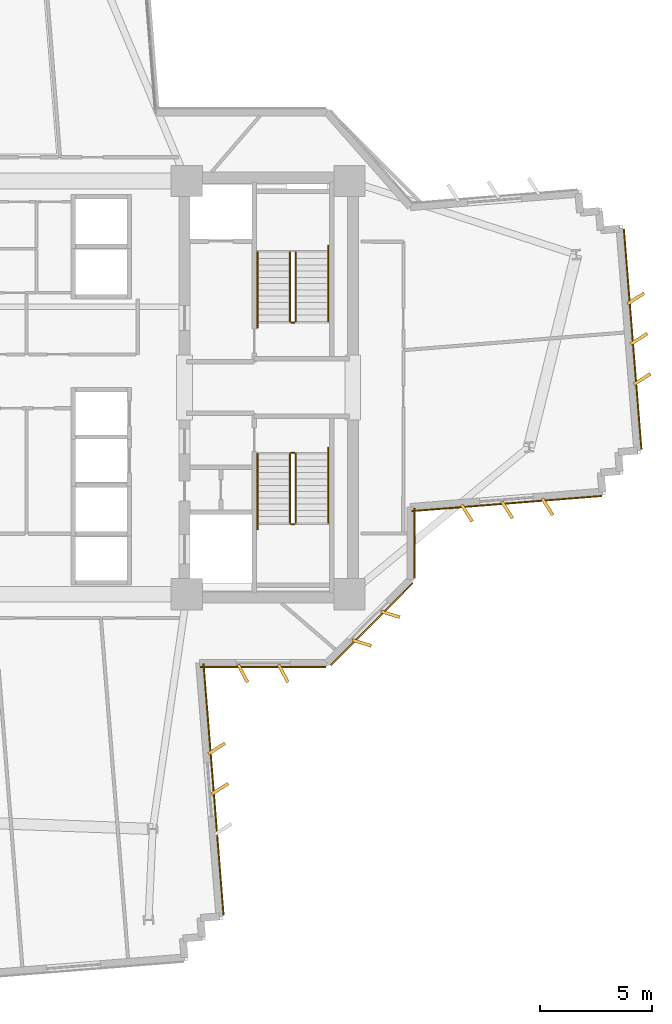
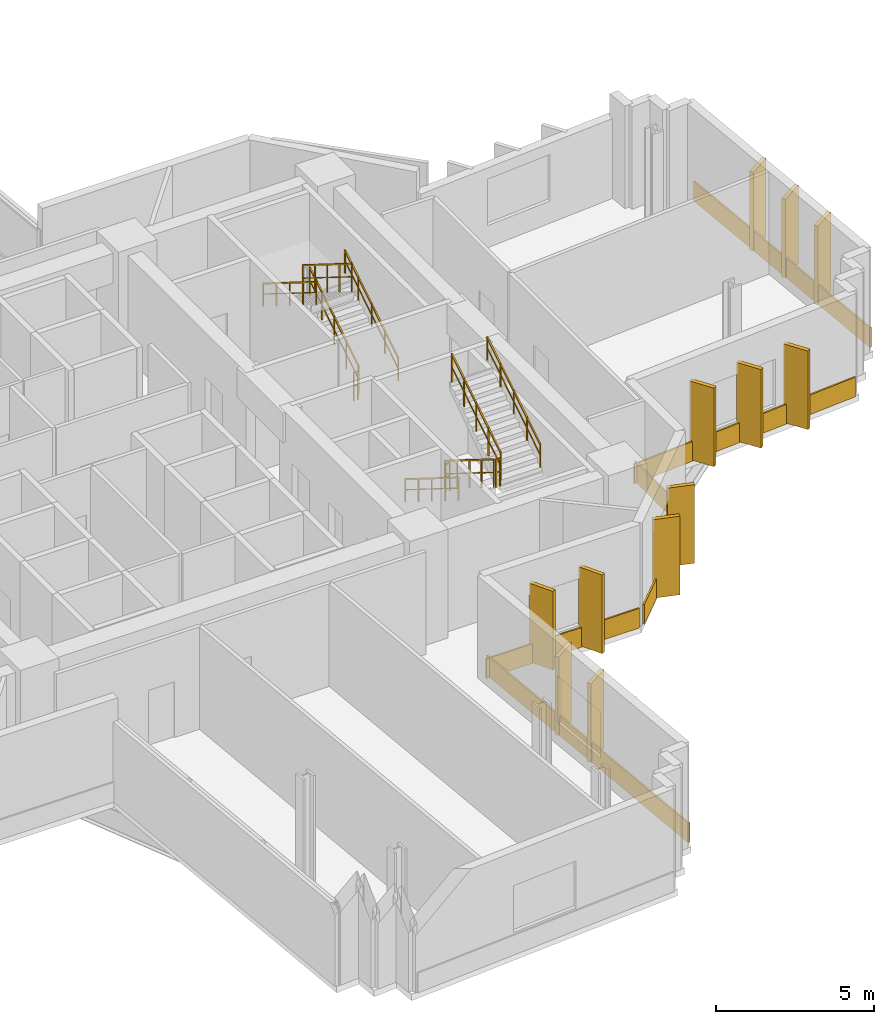
# One storey, part 13 of 15: 18 coverings, 11 railings.
"""IFC4 building model written with IfcOpenShell, lengths in metres."""

from ifc_helpers import new_model, si_unit, direction, frame, origin, origin_2d, place, context, subcontext, project, spatial, rectangle, extrude, source, transform, mapped, material, layer, layer_set, type_object, element, save


model = new_model("IFC4")

# Units and contexts
model_context = context("Model", 3, precision=1e-05, world=origin(), true_north=direction((0.0, 1.0)))
body_context = subcontext(model_context, "Body", "Model", "MODEL_VIEW")
ifc_project = project(units=[si_unit("LENGTHUNIT", "METRE"), si_unit("AREAUNIT", "SQUARE_METRE"), si_unit("VOLUMEUNIT", "CUBIC_METRE"), si_unit("PLANEANGLEUNIT", "RADIAN"), si_unit("MASSUNIT", "GRAM", prefix="KILO")], contexts=[model_context])

# Site, building, storey
site_placement = place(None, origin())
site = spatial("IfcSite", under=ifc_project, at=site_placement, CompositionType="ELEMENT")
building_placement = place(site_placement, origin())
building = spatial("IfcBuilding", under=site, at=building_placement, Name="Zahravan Cultural Tower", CompositionType="ELEMENT")
storey_placement = place(building_placement, frame((0.0, 0.0, 87.89990234375)))
storey = spatial("IfcBuildingStorey", under=building, at=storey_placement, Name="L19", CompositionType="ELEMENT", Elevation=87.89990234375)

# Railings
ifc_material_1 = material(Name="Steel ASTM A572 Grade 50", Category="steel")
railing_type_1 = type_object("IfcRailingType", Name="RL-STAIR-GRD1150", PredefinedType="BALUSTRADE", material=ifc_material_1)
railing_1_placement = place(storey_placement, frame((47.949951171875, 29.949951171875, 0.175048828125)))
element("IfcRailing", 1, at=railing_1_placement, inside=storey, type_object=railing_type_1, Name="L19 ST-E1 stair guard 1", PredefinedType="BALUSTRADE", context=body_context, shape_type="SweptSolid", body=[
    extrude(rectangle(XDim=0.05, YDim=0.05, at=origin_2d()), frame((0.0, 0.0, 1.0751953125), z_axis=(0.0, 0.847998304005, 0.529998940003), x_axis=(-1.0, 0.0, 0.0)), (0.0, 0.0, 1.0), 3.632080078125),
    extrude(rectangle(XDim=0.032, YDim=0.032, at=origin_2d()), frame((0.0, 0.0, 0.572021484375), z_axis=(0.0, 0.847998304005, 0.529998940003), x_axis=(-1.0, 0.0, 0.0)), (0.0, 0.0, 1.0), 3.632080078125),
    extrude(rectangle(XDim=0.04, YDim=0.04, at=origin_2d()), origin(), (0.0, 0.0, 1.0), 1.10009765625),
    extrude(rectangle(XDim=0.04, YDim=0.04, at=origin_2d()), frame((0.0, 0.77001953125, 0.481201171875)), (0.0, 0.0, 1.0), 1.10009765625),
    extrude(rectangle(XDim=0.04, YDim=0.04, at=origin_2d()), frame((0.0, 1.5400390625, 0.96240234375)), (0.0, 0.0, 1.0), 1.10009765625),
    extrude(rectangle(XDim=0.04, YDim=0.04, at=origin_2d()), frame((0.0, 2.31005859375, 1.44384765625)), (0.0, 0.0, 1.0), 1.10009765625),
    extrude(rectangle(XDim=0.04, YDim=0.04, at=origin_2d()), frame((0.0, 3.080078125, 1.925048828125)), (0.0, 0.0, 1.0), 1.10009765625),
])
railing_2_placement = place(storey_placement, frame((47.699951171875, 33.030029296875, 2.275146484375)))
element("IfcRailing", 2, at=railing_2_placement, inside=storey, type_object=railing_type_1, Name="L19 ST-E1 stair guard 3", PredefinedType="BALUSTRADE", context=body_context, shape_type="SweptSolid", body=[
    extrude(rectangle(XDim=0.05, YDim=0.05, at=origin_2d()), frame((0.0, 0.0, 1.0751953125), z_axis=(0.0, -0.847998304005, 0.529998940003), x_axis=(1.0, 0.0, 0.0)), (0.0, 0.0, 1.0), 3.632080078125),
    extrude(rectangle(XDim=0.032, YDim=0.032, at=origin_2d()), frame((0.0, 0.0, 0.572021484375), z_axis=(0.0, -0.847998304005, 0.529998940003), x_axis=(1.0, 0.0, 0.0)), (0.0, 0.0, 1.0), 3.632080078125),
    extrude(rectangle(XDim=0.04, YDim=0.04, at=origin_2d()), origin(), (0.0, 0.0, 1.0), 1.10009765625),
    extrude(rectangle(XDim=0.04, YDim=0.04, at=origin_2d()), frame((0.0, -0.77001953125, 0.481201171875)), (0.0, 0.0, 1.0), 1.10009765625),
    extrude(rectangle(XDim=0.04, YDim=0.04, at=origin_2d()), frame((0.0, -1.5400390625, 0.96240234375)), (0.0, 0.0, 1.0), 1.10009765625),
    extrude(rectangle(XDim=0.04, YDim=0.04, at=origin_2d()), frame((0.0, -2.31005859375, 1.44384765625)), (0.0, 0.0, 1.0), 1.10009765625),
    extrude(rectangle(XDim=0.04, YDim=0.04, at=origin_2d()), frame((0.0, -3.080078125, 1.925048828125)), (0.0, 0.0, 1.0), 1.10009765625),
])
railing_3_placement = place(storey_placement, frame((47.89990234375, 29.89990234375, 0.0)))
element("IfcRailing", 3, at=railing_3_placement, inside=storey, type_object=railing_type_1, Name="L19 ST-E1 stair guard 4", PredefinedType="BALUSTRADE", context=body_context, shape_type="SweptSolid", body=[
    extrude(rectangle(XDim=0.05, YDim=0.05, at=origin_2d()), frame((0.0, 0.0, 1.0751953125), z_axis=(-1.0, 0.0, 0.0), x_axis=(0.0, -1.0, 0.0)), (0.0, 0.0, 1.0), 0.14990234375),
    extrude(rectangle(XDim=0.032, YDim=0.032, at=origin_2d()), frame((0.0, 0.0, 0.572021484375), z_axis=(-1.0, 0.0, 0.0), x_axis=(0.0, -1.0, 0.0)), (0.0, 0.0, 1.0), 0.14990234375),
    extrude(rectangle(XDim=0.04, YDim=0.04, at=origin_2d()), origin(), (0.0, 0.0, 1.0), 1.10009765625),
    extrude(rectangle(XDim=0.04, YDim=0.04, at=origin_2d()), frame((-0.14990234375, 0.0, 0.0)), (0.0, 0.0, 1.0), 1.10009765625),
])
railing_4_placement = place(storey_placement, frame((47.699951171875, 24.050048828125, 0.175048828125)))
element("IfcRailing", 4, at=railing_4_placement, inside=storey, type_object=railing_type_1, Name="L19 ST-E2 stair guard 1", PredefinedType="BALUSTRADE", context=body_context, shape_type="SweptSolid", body=[
    extrude(rectangle(XDim=0.05, YDim=0.05, at=origin_2d()), frame((0.0, 0.0, 1.0751953125), z_axis=(0.0, -0.847998304005, 0.529998940003), x_axis=(1.0, 0.0, 0.0)), (0.0, 0.0, 1.0), 3.632080078125),
    extrude(rectangle(XDim=0.032, YDim=0.032, at=origin_2d()), frame((0.0, 0.0, 0.572021484375), z_axis=(0.0, -0.847998304005, 0.529998940003), x_axis=(1.0, 0.0, 0.0)), (0.0, 0.0, 1.0), 3.632080078125),
    extrude(rectangle(XDim=0.04, YDim=0.04, at=origin_2d()), origin(), (0.0, 0.0, 1.0), 1.10009765625),
    extrude(rectangle(XDim=0.04, YDim=0.04, at=origin_2d()), frame((0.0, -0.77001953125, 0.481201171875)), (0.0, 0.0, 1.0), 1.10009765625),
    extrude(rectangle(XDim=0.04, YDim=0.04, at=origin_2d()), frame((0.0, -1.5400390625, 0.96240234375)), (0.0, 0.0, 1.0), 1.10009765625),
    extrude(rectangle(XDim=0.04, YDim=0.04, at=origin_2d()), frame((0.0, -2.31005859375, 1.44384765625)), (0.0, 0.0, 1.0), 1.10009765625),
    extrude(rectangle(XDim=0.04, YDim=0.04, at=origin_2d()), frame((0.0, -3.080078125, 1.925048828125)), (0.0, 0.0, 1.0), 1.10009765625),
])
railing_5_placement = place(storey_placement, frame((47.75, 20.919921875, 2.10009765625)))
element("IfcRailing", 5, at=railing_5_placement, inside=storey, type_object=railing_type_1, Name="L19 ST-E2 stair guard 2", PredefinedType="BALUSTRADE", context=body_context, shape_type="SweptSolid", body=[
    extrude(rectangle(XDim=0.05, YDim=0.05, at=origin_2d()), frame((0.0, 0.0, 1.0751953125), z_axis=(1.0, 0.0, 0.0), x_axis=(0.0, 1.0, 0.0)), (0.0, 0.0, 1.0), 0.14990234375),
    extrude(rectangle(XDim=0.032, YDim=0.032, at=origin_2d()), frame((0.0, 0.0, 0.572021484375), z_axis=(1.0, 0.0, 0.0), x_axis=(0.0, 1.0, 0.0)), (0.0, 0.0, 1.0), 0.14990234375),
    extrude(rectangle(XDim=0.04, YDim=0.04, at=origin_2d()), origin(), (0.0, 0.0, 1.0), 1.10009765625),
    extrude(rectangle(XDim=0.04, YDim=0.04, at=origin_2d()), frame((0.14990234375, 0.0, 0.0)), (0.0, 0.0, 1.0), 1.10009765625),
])
railing_6_placement = place(storey_placement, frame((47.949951171875, 20.969970703125, 2.275146484375)))
element("IfcRailing", 6, at=railing_6_placement, inside=storey, type_object=railing_type_1, Name="L19 ST-E2 stair guard 3", PredefinedType="BALUSTRADE", context=body_context, shape_type="SweptSolid", body=[
    extrude(rectangle(XDim=0.05, YDim=0.05, at=origin_2d()), frame((0.0, 0.0, 1.0751953125), z_axis=(0.0, 0.847998304005, 0.529998940003), x_axis=(-1.0, 0.0, 0.0)), (0.0, 0.0, 1.0), 3.632080078125),
    extrude(rectangle(XDim=0.032, YDim=0.032, at=origin_2d()), frame((0.0, 0.0, 0.572021484375), z_axis=(0.0, 0.847998304005, 0.529998940003), x_axis=(-1.0, 0.0, 0.0)), (0.0, 0.0, 1.0), 3.632080078125),
    extrude(rectangle(XDim=0.04, YDim=0.04, at=origin_2d()), origin(), (0.0, 0.0, 1.0), 1.10009765625),
    extrude(rectangle(XDim=0.04, YDim=0.04, at=origin_2d()), frame((0.0, 0.77001953125, 0.481201171875)), (0.0, 0.0, 1.0), 1.10009765625),
    extrude(rectangle(XDim=0.04, YDim=0.04, at=origin_2d()), frame((0.0, 1.5400390625, 0.96240234375)), (0.0, 0.0, 1.0), 1.10009765625),
    extrude(rectangle(XDim=0.04, YDim=0.04, at=origin_2d()), frame((0.0, 2.31005859375, 1.44384765625)), (0.0, 0.0, 1.0), 1.10009765625),
    extrude(rectangle(XDim=0.04, YDim=0.04, at=origin_2d()), frame((0.0, 3.080078125, 1.925048828125)), (0.0, 0.0, 1.0), 1.10009765625),
])
railing_7_placement = place(storey_placement, frame((47.75, 24.10009765625, 0.0)))
element("IfcRailing", 7, at=railing_7_placement, inside=storey, type_object=railing_type_1, Name="L19 ST-E2 stair guard 4", PredefinedType="BALUSTRADE", context=body_context, shape_type="SweptSolid", body=[
    extrude(rectangle(XDim=0.05, YDim=0.05, at=origin_2d()), frame((0.0, 0.0, 1.0751953125), z_axis=(1.0, 0.0, 0.0), x_axis=(0.0, 1.0, 0.0)), (0.0, 0.0, 1.0), 0.14990234375),
    extrude(rectangle(XDim=0.032, YDim=0.032, at=origin_2d()), frame((0.0, 0.0, 0.572021484375), z_axis=(1.0, 0.0, 0.0), x_axis=(0.0, 1.0, 0.0)), (0.0, 0.0, 1.0), 0.14990234375),
    extrude(rectangle(XDim=0.04, YDim=0.04, at=origin_2d()), origin(), (0.0, 0.0, 1.0), 1.10009765625),
    extrude(rectangle(XDim=0.04, YDim=0.04, at=origin_2d()), frame((0.14990234375, 0.0, 0.0)), (0.0, 0.0, 1.0), 1.10009765625),
])
railing_type_2 = type_object("IfcRailingType", Name="RL-STAIR-HR900", PredefinedType="HANDRAIL", material=ifc_material_1)
railing_8_placement = place(storey_placement, frame((49.39990234375, 29.949951171875, 0.175048828125)))
element("IfcRailing", 8, at=railing_8_placement, inside=storey, type_object=railing_type_2, Name="L19 ST-E1 stair handrail 1", PredefinedType="HANDRAIL", context=body_context, shape_type="SweptSolid", body=[
    extrude(rectangle(XDim=0.05, YDim=0.05, at=origin_2d()), frame((0.0, 0.0, 0.875), z_axis=(0.0, 0.847994842521, 0.530004478338), x_axis=(-1.0, 0.0, 0.0)), (0.0, 0.0, 1.0), 3.96240234375),
    extrude(rectangle(XDim=0.032, YDim=0.032, at=origin_2d()), frame((0.0, 0.0, 0.468017578125), z_axis=(0.0, 0.847994842521, 0.530004478338), x_axis=(-1.0, 0.0, 0.0)), (0.0, 0.0, 1.0), 3.96240234375),
    extrude(rectangle(XDim=0.04, YDim=0.04, at=origin_2d()), origin(), (0.0, 0.0, 1.0), 0.89990234375),
    extrude(rectangle(XDim=0.04, YDim=0.04, at=origin_2d()), frame((0.0, 0.840087890625, 0.52490234375)), (0.0, 0.0, 1.0), 0.89990234375),
    extrude(rectangle(XDim=0.04, YDim=0.04, at=origin_2d()), frame((0.0, 1.68017578125, 1.050048828125)), (0.0, 0.0, 1.0), 0.89990234375),
    extrude(rectangle(XDim=0.04, YDim=0.04, at=origin_2d()), frame((0.0, 2.52001953125, 1.5751953125)), (0.0, 0.0, 1.0), 0.89990234375),
    extrude(rectangle(XDim=0.04, YDim=0.04, at=origin_2d()), frame((0.0, 3.360107421875, 2.10009765625)), (0.0, 0.0, 1.0), 0.89990234375),
])
railing_9_placement = place(storey_placement, frame((46.25, 33.030029296875, 2.275146484375)))
element("IfcRailing", 9, at=railing_9_placement, inside=storey, type_object=railing_type_2, Name="L19 ST-E1 stair handrail 2", PredefinedType="HANDRAIL", context=body_context, shape_type="SweptSolid", body=[
    extrude(rectangle(XDim=0.05, YDim=0.05, at=origin_2d()), frame((0.0, 0.0, 0.875), z_axis=(0.0, -0.848022534174, 0.529960169762), x_axis=(1.0, 0.0, 0.0)), (0.0, 0.0, 1.0), 3.96240234375),
    extrude(rectangle(XDim=0.032, YDim=0.032, at=origin_2d()), frame((0.0, 0.0, 0.468017578125), z_axis=(0.0, -0.848022534174, 0.529960169762), x_axis=(1.0, 0.0, 0.0)), (0.0, 0.0, 1.0), 3.96240234375),
    extrude(rectangle(XDim=0.04, YDim=0.04, at=origin_2d()), origin(), (0.0, 0.0, 1.0), 0.89990234375),
    extrude(rectangle(XDim=0.04, YDim=0.04, at=origin_2d()), frame((0.0, -0.840087890625, 0.52490234375)), (0.0, 0.0, 1.0), 0.89990234375),
    extrude(rectangle(XDim=0.04, YDim=0.04, at=origin_2d()), frame((0.0, -1.68017578125, 1.0498046875)), (0.0, 0.0, 1.0), 0.89990234375),
    extrude(rectangle(XDim=0.04, YDim=0.04, at=origin_2d()), frame((0.0, -2.52001953125, 1.574951171875)), (0.0, 0.0, 1.0), 0.89990234375),
    extrude(rectangle(XDim=0.04, YDim=0.04, at=origin_2d()), frame((0.0, -3.360107421875, 2.099853515625)), (0.0, 0.0, 1.0), 0.89990234375),
])
railing_10_placement = place(storey_placement, frame((46.25, 24.050048828125, 0.175048828125)))
element("IfcRailing", 10, at=railing_10_placement, inside=storey, type_object=railing_type_2, Name="L19 ST-E2 stair handrail 1", PredefinedType="HANDRAIL", context=body_context, shape_type="SweptSolid", body=[
    extrude(rectangle(XDim=0.05, YDim=0.05, at=origin_2d()), frame((0.0, 0.0, 0.875), z_axis=(0.0, -0.847994842521, 0.530004478338), x_axis=(1.0, 0.0, 0.0)), (0.0, 0.0, 1.0), 3.96240234375),
    extrude(rectangle(XDim=0.032, YDim=0.032, at=origin_2d()), frame((0.0, 0.0, 0.468017578125), z_axis=(0.0, -0.847994842521, 0.530004478338), x_axis=(1.0, 0.0, 0.0)), (0.0, 0.0, 1.0), 3.96240234375),
    extrude(rectangle(XDim=0.04, YDim=0.04, at=origin_2d()), origin(), (0.0, 0.0, 1.0), 0.89990234375),
    extrude(rectangle(XDim=0.04, YDim=0.04, at=origin_2d()), frame((0.0, -0.840087890625, 0.52490234375)), (0.0, 0.0, 1.0), 0.89990234375),
    extrude(rectangle(XDim=0.04, YDim=0.04, at=origin_2d()), frame((0.0, -1.68017578125, 1.050048828125)), (0.0, 0.0, 1.0), 0.89990234375),
    extrude(rectangle(XDim=0.04, YDim=0.04, at=origin_2d()), frame((0.0, -2.52001953125, 1.5751953125)), (0.0, 0.0, 1.0), 0.89990234375),
    extrude(rectangle(XDim=0.04, YDim=0.04, at=origin_2d()), frame((0.0, -3.360107421875, 2.10009765625)), (0.0, 0.0, 1.0), 0.89990234375),
])
railing_11_placement = place(storey_placement, frame((49.39990234375, 20.969970703125, 2.275146484375)))
element("IfcRailing", 11, at=railing_11_placement, inside=storey, type_object=railing_type_2, Name="L19 ST-E2 stair handrail 2", PredefinedType="HANDRAIL", context=body_context, shape_type="SweptSolid", body=[
    extrude(rectangle(XDim=0.05, YDim=0.05, at=origin_2d()), frame((0.0, 0.0, 0.875), z_axis=(0.0, 0.848022534174, 0.529960169762), x_axis=(-1.0, 0.0, 0.0)), (0.0, 0.0, 1.0), 3.96240234375),
    extrude(rectangle(XDim=0.032, YDim=0.032, at=origin_2d()), frame((0.0, 0.0, 0.468017578125), z_axis=(0.0, 0.848022534174, 0.529960169762), x_axis=(-1.0, 0.0, 0.0)), (0.0, 0.0, 1.0), 3.96240234375),
    extrude(rectangle(XDim=0.04, YDim=0.04, at=origin_2d()), origin(), (0.0, 0.0, 1.0), 0.89990234375),
    extrude(rectangle(XDim=0.04, YDim=0.04, at=origin_2d()), frame((0.0, 0.840087890625, 0.52490234375)), (0.0, 0.0, 1.0), 0.89990234375),
    extrude(rectangle(XDim=0.04, YDim=0.04, at=origin_2d()), frame((0.0, 1.68017578125, 1.0498046875)), (0.0, 0.0, 1.0), 0.89990234375),
    extrude(rectangle(XDim=0.04, YDim=0.04, at=origin_2d()), frame((0.0, 2.52001953125, 1.574951171875)), (0.0, 0.0, 1.0), 0.89990234375),
    extrude(rectangle(XDim=0.04, YDim=0.04, at=origin_2d()), frame((0.0, 3.360107421875, 2.099853515625)), (0.0, 0.0, 1.0), 0.89990234375),
])

# Coverings
ifc_material_2 = material(Name="Terracotta ceramic cladding", Category="masonry")
ifc_layer = layer(ifc_material_2, 0.06005859375)
ifc_layer_set = layer_set([ifc_layer], Name="Terracotta ceramic cladding")
covering_type = type_object("IfcCoveringType", Name="COV-CLAD-TC60", PredefinedType="CLADDING", material=ifc_layer_set)
shared_shape_1 = source(origin(), body_context, "Body", "SweptSolid", [
    extrude(rectangle(XDim=9.820068359375, YDim=0.06005859375, at=origin_2d()), origin(), (0.0, 0.0, 1.0), 0.760009765625),
])
covering_1_placement = place(storey_placement, frame((62.95947265625, 29.150146484375, 0.02001953125), z_axis=(0.0, 0.0, 1.0), x_axis=(0.079503021908, -0.996834624954, 0.0)))
element("IfcCovering", 12, at=covering_1_placement, inside=storey, type_object=covering_type, Name="L19 Terracotta Spandrel Cladding 06", PredefinedType="CLADDING", context=body_context, shape_type="MappedRepresentation", body=[
    mapped(shared_shape_1, transform((0.0, 0.0, 0.0), x_axis=(1.0, 0.0, 0.0), y_axis=(0.0, 1.0, 0.0), z_axis=(0.0, 0.0, 1.0), scale=1.0)),
])
shared_shape_2 = source(origin(), body_context, "Body", "SweptSolid", [
    extrude(rectangle(XDim=5.157958984375, YDim=0.06005859375, at=origin_2d()), origin(), (0.0, 0.0, 1.0), 0.760009765625),
])
covering_2_placement = place(storey_placement, frame((51.331787109375, 16.46826171875, 0.02001953125), z_axis=(0.0, 0.0, 1.0), x_axis=(-0.707106781187, -0.707106781187, 0.0)))
element("IfcCovering", 13, at=covering_2_placement, inside=storey, type_object=covering_type, Name="L19 Terracotta Spandrel Cladding 13", PredefinedType="CLADDING", context=body_context, shape_type="MappedRepresentation", body=[
    mapped(shared_shape_2, transform((0.0, 0.0, 0.0), x_axis=(1.0, 0.0, 0.0), y_axis=(0.0, 1.0, 0.0), z_axis=(0.0, 0.0, 1.0), scale=1.0)),
])
shared_shape_3 = source(origin(), body_context, "Body", "SweptSolid", [
    extrude(rectangle(XDim=0.8798828125, YDim=0.139892578125, at=origin_2d()), origin(), (0.0, 0.0, 1.0), 3.030029296875),
])
for number, where, z_axis, x_axis, name in (
    (14, (63.100341796875, 30.967041015625, 0.05029296875), (0.0, 0.0, 1.0), (0.842828324641, 0.538182511035, 0.0), "L19 Herringbone Terracotta Fin 04"),
    (15, (63.243408203125, 29.1728515625, 0.05029296875), (0.0, 0.0, 1.0), (0.842828324641, 0.538182511035, 0.0), "L19 Herringbone Terracotta Fin 05"),
    (16, (63.38671875, 27.37841796875, 0.05029296875), (0.0, 0.0, 1.0), (0.842828324641, 0.538182511035, 0.0), "L19 Herringbone Terracotta Fin 06"),
    (17, (59.16650390625, 21.695068359375, 0.05029296875), (0.0, 0.0, 1.0), (0.538182511035, -0.842828324641, 0.0), "L19 Herringbone Terracotta Fin 07"),
    (18, (57.372314453125, 21.552001953125, 0.05029296875), (0.0, 0.0, 1.0), (0.538182511035, -0.842828324641, 0.0), "L19 Herringbone Terracotta Fin 08"),
    (19, (55.577880859375, 21.40869140625, 0.05029296875), (0.0, 0.0, 1.0), (0.538182511035, -0.842828324641, 0.0), "L19 Herringbone Terracotta Fin 09"),
    (20, (52.169677734375, 16.903076171875, 0.05029296875), (0.0, 0.0, 1.0), (0.956304755963, -0.292371704723, 0.0), "L19 Herringbone Terracotta Fin 10"),
    (21, (50.89697265625, 15.63037109375, 0.05029296875), (0.0, 0.0, 1.0), (0.956304755963, -0.292371704723, 0.0), "L19 Herringbone Terracotta Fin 11"),
    (22, (47.400390625, 14.27001953125, 0.05029296875), (0.0, 0.0, 1.0), (0.469471562786, -0.882947592859, 0.0), "L19 Herringbone Terracotta Fin 12"),
    (23, (45.6005859375, 14.27001953125, 0.05029296875), (0.0, 0.0, 1.0), (0.469471562786, -0.882947592859, 0.0), "L19 Herringbone Terracotta Fin 13"),
    (24, (44.434814453125, 10.924560546875, 0.05029296875), (0.0, 0.0, 1.0), (0.842828324641, 0.538182511035, 0.0), "L19 Herringbone Terracotta Fin 14"),
    (25, (44.577880859375, 9.13037109375, 0.05029296875), (0.0, 0.0, 1.0), (0.842828324641, 0.538182511035, 0.0), "L19 Herringbone Terracotta Fin 15"),
):
    element("IfcCovering", number, at=place(storey_placement, frame(where, z_axis=z_axis, x_axis=x_axis)), inside=storey, type_object=covering_type, Name=name, PredefinedType="CLADDING", context=body_context, shape_type="MappedRepresentation", body=[
        mapped(shared_shape_3, transform((0.0, 0.0, 0.0), x_axis=(1.0, 0.0, 0.0), y_axis=(0.0, 1.0, 0.0), z_axis=(0.0, 0.0, 1.0), scale=1.0)),
    ])
shared_shape_4 = source(origin(), body_context, "Body", "SweptSolid", [
    extrude(rectangle(XDim=8.476806640625, YDim=0.06005859375, at=origin_2d()), origin(), (0.0, 0.0, 1.0), 0.760009765625),
])
covering_3_placement = place(storey_placement, frame((57.349609375, 21.8359375, 0.02001953125), z_axis=(0.0, 0.0, 1.0), x_axis=(-0.996834624954, -0.079503021908, 0.0)))
element("IfcCovering", 26, at=covering_3_placement, inside=storey, type_object=covering_type, Name="L19 Terracotta Spandrel Cladding 11", PredefinedType="CLADDING", context=body_context, shape_type="MappedRepresentation", body=[
    mapped(shared_shape_4, transform((0.0, 0.0, 0.0), x_axis=(1.0, 0.0, 0.0), y_axis=(0.0, 1.0, 0.0), z_axis=(0.0, 0.0, 1.0), scale=1.0)),
])
shared_shape_5 = source(origin(), body_context, "Body", "SweptSolid", [
    extrude(rectangle(XDim=3.12158203125, YDim=0.06005859375, at=origin_2d()), origin(), (0.0, 0.0, 1.0), 0.760009765625),
])
covering_4_placement = place(storey_placement, frame((53.2451171875, 20.06884765625, 0.02001953125), z_axis=(0.0, 0.0, 1.0), x_axis=(0.0, -1.0, 0.0)))
element("IfcCovering", 27, at=covering_4_placement, inside=storey, type_object=covering_type, Name="L19 Terracotta Spandrel Cladding 12", PredefinedType="CLADDING", context=body_context, shape_type="MappedRepresentation", body=[
    mapped(shared_shape_5, transform((0.0, 0.0, 0.0), x_axis=(1.0, 0.0, 0.0), y_axis=(0.0, 1.0, 0.0), z_axis=(0.0, 0.0, 1.0), scale=1.0)),
])
shared_shape_6 = source(origin(), body_context, "Body", "SweptSolid", [
    extrude(rectangle(XDim=5.5830078125, YDim=0.06005859375, at=origin_2d()), origin(), (0.0, 0.0, 1.0), 0.760009765625),
])
covering_5_placement = place(storey_placement, frame((46.50048828125, 14.554931640625, 0.02001953125), z_axis=(0.0, 0.0, 1.0), x_axis=(-1.0, 0.0, 0.0)))
element("IfcCovering", 28, at=covering_5_placement, inside=storey, type_object=covering_type, Name="L19 Terracotta Spandrel Cladding 14", PredefinedType="CLADDING", context=body_context, shape_type="MappedRepresentation", body=[
    mapped(shared_shape_6, transform((0.0, 0.0, 0.0), x_axis=(1.0, 0.0, 0.0), y_axis=(0.0, 1.0, 0.0), z_axis=(0.0, 0.0, 1.0), scale=1.0)),
])
shared_shape_7 = source(origin(), body_context, "Body", "SweptSolid", [
    extrude(rectangle(XDim=11.22998046875, YDim=0.06005859375, at=origin_2d()), origin(), (0.0, 0.0, 1.0), 0.760009765625),
])
covering_6_placement = place(storey_placement, frame((44.293701171875, 9.107666015625, 0.02001953125), z_axis=(0.0, 0.0, 1.0), x_axis=(0.079503021908, -0.996834624954, 0.0)))
element("IfcCovering", 29, at=covering_6_placement, inside=storey, type_object=covering_type, Name="L19 Terracotta Spandrel Cladding 15", PredefinedType="CLADDING", context=body_context, shape_type="MappedRepresentation", body=[
    mapped(shared_shape_7, transform((0.0, 0.0, 0.0), x_axis=(1.0, 0.0, 0.0), y_axis=(0.0, 1.0, 0.0), z_axis=(0.0, 0.0, 1.0), scale=1.0)),
])

save(model, "model.ifc")
